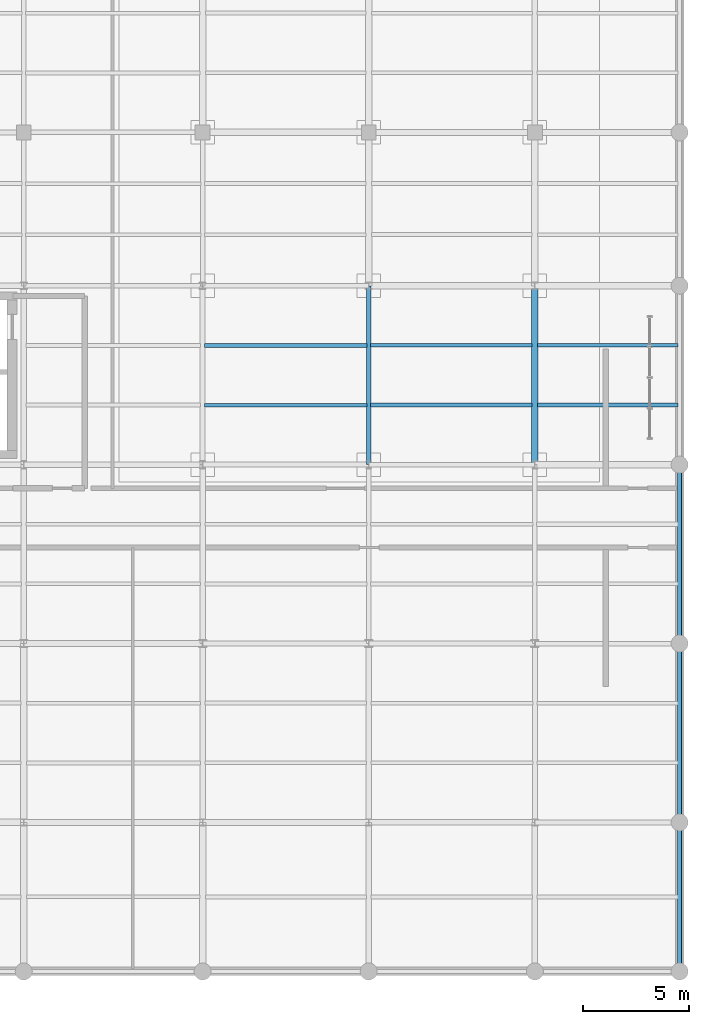
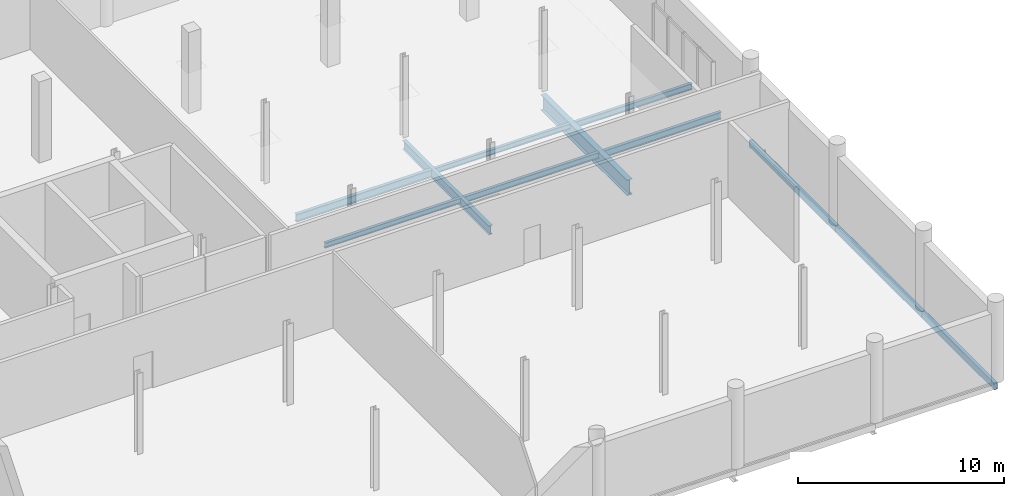
# One storey, part 46 of 94: 11 beams.
"""IFC4 building model written with IfcOpenShell, lengths in metres."""

from ifc_helpers import new_model, si_unit, direction, frame, origin_with_axes, origin_2d_with_axis, place, context, subcontext, project, spatial, hollow_rectangle, i_section, extrude, material, material_profile, profile_set, type_object, element, save


model = new_model("IFC4")

# Units and contexts
model_context = context("Model", 3, precision=1e-05, world=origin_with_axes(), true_north=direction((0.0, 1.0)))
body_context = subcontext(model_context, "Body", "Model", "MODEL_VIEW")
ifc_project = project(units=[si_unit("LENGTHUNIT", "METRE"), si_unit("AREAUNIT", "SQUARE_METRE"), si_unit("VOLUMEUNIT", "CUBIC_METRE"), si_unit("PLANEANGLEUNIT", "RADIAN"), si_unit("MASSUNIT", "GRAM", prefix="KILO"), si_unit("THERMODYNAMICTEMPERATUREUNIT", "KELVIN")], contexts=[model_context])

# Site, building, storey
site_placement = place(None, origin_with_axes())
site = spatial("IfcSite", under=ifc_project, at=site_placement, CompositionType="ELEMENT")
building_placement = place(site_placement, origin_with_axes())
building = spatial("IfcBuilding", under=site, at=building_placement, Name="Montbau Bow Law Courts", CompositionType="ELEMENT")
storey_placement = place(building_placement, frame((0.0, 0.0, 15.6), z_axis=(0.0, 0.0, 1.0), x_axis=(1.0, 0.0, 0.0)))
storey = spatial("IfcBuildingStorey", under=building, at=storey_placement, Name="L03", CompositionType="ELEMENT", Elevation=15.6)

# Beams
ifc_material_1 = material(Name="Steel CSA G40.21 Grade 350W (350 MPa)", Category="steel")
ifc_material_profile_1 = material_profile(ifc_material_1, i_section(OverallWidth=0.306, OverallDepth=0.919, WebThickness=0.0173, FlangeThickness=0.0279, at=origin_2d_with_axis()), Name="W920X253", Category="Main", Priority=0)
ifc_profile_set_1 = profile_set([ifc_material_profile_1], Name="Steel CSA G40.21 Grade 350W (350 MPa)")
beam_type_1 = type_object("IfcBeamType", Name="B-FLR-01", PredefinedType="BEAM", material=ifc_profile_set_1)
beam_1_placement = place(None, frame((162.6, 30.6, 14.9), z_axis=(0.0, 1.0, 0.0), x_axis=(-1.0, 0.0, 0.0)))
element("IfcBeam", 1, at=beam_1_placement, inside=storey, type_object=beam_type_1, Name="BM-L03-S1700:bm2_1703", PredefinedType="BEAM", context=body_context, shape_type="SweptSolid", body=[
    extrude(i_section(OverallWidth=0.306, OverallDepth=0.919, WebThickness=0.0173, FlangeThickness=0.0279, at=origin_2d_with_axis()), origin_with_axes(), (0.0, 0.0, 1.0), 8.4),
])
ifc_material_profile_2 = material_profile(ifc_material_1, i_section(OverallWidth=0.21, OverallDepth=0.537, WebThickness=0.0109, FlangeThickness=0.0174, at=origin_2d_with_axis()), Name="W530X101", Category="Main", Priority=0)
ifc_profile_set_2 = profile_set([ifc_material_profile_2], Name="Steel CSA G40.21 Grade 350W (350 MPa)")
beam_type_2 = type_object("IfcBeamType", Name="B-FLR-06", PredefinedType="BEAM", material=ifc_profile_set_2)
beam_2_placement = place(None, frame((154.8, 30.6, 15.091), z_axis=(0.0, 1.0, 0.0), x_axis=(-1.0, 0.0, 0.0)))
element("IfcBeam", 2, at=beam_2_placement, inside=storey, type_object=beam_type_2, Name="BM-L03-S1694:bm2_1697", PredefinedType="BEAM", context=body_context, shape_type="SweptSolid", body=[
    extrude(i_section(OverallWidth=0.21, OverallDepth=0.537, WebThickness=0.0109, FlangeThickness=0.0174, at=origin_2d_with_axis()), origin_with_axes(), (0.0, 0.0, 1.0), 8.4),
])
ifc_material_profile_3 = material_profile(ifc_material_1, i_section(OverallWidth=0.191, OverallDepth=0.46, WebThickness=0.0099, FlangeThickness=0.016, at=origin_2d_with_axis()), Name="W460X82", Category="Main", Priority=0)
ifc_profile_set_3 = profile_set([ifc_material_profile_3], Name="Steel CSA G40.21 Grade 350W (350 MPa)")
beam_type_3 = type_object("IfcBeamType", Name="B-JST-01", PredefinedType="JOIST", material=ifc_profile_set_3)
beam_3_placement = place(None, frame((147.09, 36.2, 15.13), z_axis=(1.0, 0.0, 0.0), x_axis=(0.0, 1.0, 0.0)))
element("IfcBeam", 3, at=beam_3_placement, inside=storey, type_object=beam_type_3, Name="JST-L03-S0984:jst2_0984", PredefinedType="JOIST", context=body_context, shape_type="SweptSolid", body=[
    extrude(i_section(OverallWidth=0.191, OverallDepth=0.46, WebThickness=0.0099, FlangeThickness=0.016, at=origin_2d_with_axis()), origin_with_axes(), (0.0, 0.0, 1.0), 7.629),
])
ifc_material_profile_4 = material_profile(ifc_material_1, i_section(OverallWidth=0.179, OverallDepth=0.41, WebThickness=0.0088, FlangeThickness=0.0144, at=origin_2d_with_axis()), Name="W410X67", Category="Main", Priority=0)
ifc_profile_set_4 = profile_set([ifc_material_profile_4], Name="Steel CSA G40.21 Grade 350W (350 MPa)")
beam_type_4 = type_object("IfcBeamType", Name="B-JST-02", PredefinedType="JOIST", material=ifc_profile_set_4)
beam_4_placement = place(None, frame((162.729, 33.4, 15.155), z_axis=(1.0, 0.0, 0.0), x_axis=(0.0, 1.0, 0.0)))
element("IfcBeam", 4, at=beam_4_placement, inside=storey, type_object=beam_type_4, Name="JST-L03-S1005:jst2_1005", PredefinedType="JOIST", context=body_context, shape_type="SweptSolid", body=[
    extrude(i_section(OverallWidth=0.179, OverallDepth=0.41, WebThickness=0.0088, FlangeThickness=0.0144, at=origin_2d_with_axis()), origin_with_axes(), (0.0, 0.0, 1.0), 6.591),
])
ifc_material_profile_5 = material_profile(ifc_material_1, i_section(OverallWidth=0.172, OverallDepth=0.358, WebThickness=0.0079, FlangeThickness=0.0131, at=origin_2d_with_axis()), Name="W360X57", Category="Main", Priority=0)
ifc_profile_set_5 = profile_set([ifc_material_profile_5], Name="Steel CSA G40.21 Grade 350W (350 MPa)")
beam_type_5 = type_object("IfcBeamType", Name="B-JST-03", PredefinedType="JOIST", material=ifc_profile_set_5)
beam_5_placement = place(None, frame((154.881, 33.4, 15.181), z_axis=(1.0, 0.0, 0.0), x_axis=(0.0, 1.0, 0.0)))
element("IfcBeam", 5, at=beam_5_placement, inside=storey, type_object=beam_type_5, Name="JST-L03-S0994:jst2_0994", PredefinedType="JOIST", context=body_context, shape_type="SweptSolid", body=[
    extrude(i_section(OverallWidth=0.172, OverallDepth=0.358, WebThickness=0.0079, FlangeThickness=0.0131, at=origin_2d_with_axis()), origin_with_axes(), (0.0, 0.0, 1.0), 7.59),
])
beam_6_placement = place(None, frame((162.729, 36.2, 15.181), z_axis=(1.0, 0.0, 0.0), x_axis=(0.0, 1.0, 0.0)))
element("IfcBeam", 6, at=beam_6_placement, inside=storey, type_object=beam_type_5, Name="JST-L03-S1006:jst2_1006", PredefinedType="JOIST", context=body_context, shape_type="SweptSolid", body=[
    extrude(i_section(OverallWidth=0.172, OverallDepth=0.358, WebThickness=0.0079, FlangeThickness=0.0131, at=origin_2d_with_axis()), origin_with_axes(), (0.0, 0.0, 1.0), 6.591),
])
ifc_material_profile_6 = material_profile(ifc_material_1, i_section(OverallWidth=0.166, OverallDepth=0.313, WebThickness=0.0066, FlangeThickness=0.0112, at=origin_2d_with_axis()), Name="W310X45", Category="Main", Priority=0)
ifc_profile_set_6 = profile_set([ifc_material_profile_6], Name="Steel CSA G40.21 Grade 350W (350 MPa)")
beam_type_6 = type_object("IfcBeamType", Name="B-JST-04", PredefinedType="JOIST", material=ifc_profile_set_6)
beam_7_placement = place(None, frame((147.09, 33.4, 15.204), z_axis=(1.0, 0.0, 0.0), x_axis=(0.0, 1.0, 0.0)))
element("IfcBeam", 7, at=beam_7_placement, inside=storey, type_object=beam_type_6, Name="JST-L03-S0983:jst2_0983", PredefinedType="JOIST", context=body_context, shape_type="SweptSolid", body=[
    extrude(i_section(OverallWidth=0.166, OverallDepth=0.313, WebThickness=0.0066, FlangeThickness=0.0112, at=origin_2d_with_axis()), origin_with_axes(), (0.0, 0.0, 1.0), 7.629),
])
beam_8_placement = place(None, frame((154.881, 36.2, 15.204), z_axis=(1.0, 0.0, 0.0), x_axis=(0.0, 1.0, 0.0)))
element("IfcBeam", 8, at=beam_8_placement, inside=storey, type_object=beam_type_6, Name="JST-L03-S0995:jst2_0995", PredefinedType="JOIST", context=body_context, shape_type="SweptSolid", body=[
    extrude(i_section(OverallWidth=0.166, OverallDepth=0.313, WebThickness=0.0066, FlangeThickness=0.0112, at=origin_2d_with_axis()), origin_with_axes(), (0.0, 0.0, 1.0), 7.59),
])
ifc_material_2 = material(Name="Steel CSA G40.21 Grade 350WT (350 MPa)", Category="steel")
ifc_material_profile_7 = material_profile(ifc_material_2, hollow_rectangle(XDim=0.203, YDim=0.406, WallThickness=0.0127, InnerFilletRadius=0.0254, OuterFilletRadius=0.0127, at=origin_2d_with_axis()), Name="HSS406X203X13", Category="Main", Priority=0)
ifc_profile_set_7 = profile_set([ifc_material_profile_7], Name="Steel CSA G40.21 Grade 350WT (350 MPa)")
beam_type_7 = type_object("IfcBeamType", Name="B-SPN-01", PredefinedType="SPANDREL", material=ifc_profile_set_7)
beam_9_placement = place(None, frame((169.4, 6.8, 15.157), z_axis=(0.0, 1.0, 0.0), x_axis=(-1.0, 0.0, 0.0)))
element("IfcBeam", 9, at=beam_9_placement, inside=storey, type_object=beam_type_7, Name="SPN-L03-S1703:bm2_1706", PredefinedType="SPANDREL", context=body_context, shape_type="SweptSolid", body=[
    extrude(hollow_rectangle(XDim=0.203, YDim=0.406, WallThickness=0.0127, InnerFilletRadius=0.0254, OuterFilletRadius=0.0127, at=origin_2d_with_axis()), origin_with_axes(), (0.0, 0.0, 1.0), 7.0),
])
for number, where, z_axis, x_axis, name in (
    (10, (169.4, 13.8, 15.157), (0.0, 1.0, 0.0), (-1.0, 0.0, 0.0), "SPN-L03-S1704:bm2_1707"),
    (11, (169.4, 22.2, 15.157), (0.0, 1.0, 0.0), (-1.0, 0.0, 0.0), "SPN-L03-S1705:bm2_1708"),
):
    element("IfcBeam", number, at=place(None, frame(where, z_axis=z_axis, x_axis=x_axis)), inside=storey, type_object=beam_type_7, Name=name, PredefinedType="SPANDREL", context=body_context, shape_type="SweptSolid", body=[
        extrude(hollow_rectangle(XDim=0.203, YDim=0.406, WallThickness=0.0127, InnerFilletRadius=0.0254, OuterFilletRadius=0.0127, at=origin_2d_with_axis()), origin_with_axes(), (0.0, 0.0, 1.0), 8.4),
    ])

save(model, "model.ifc")
